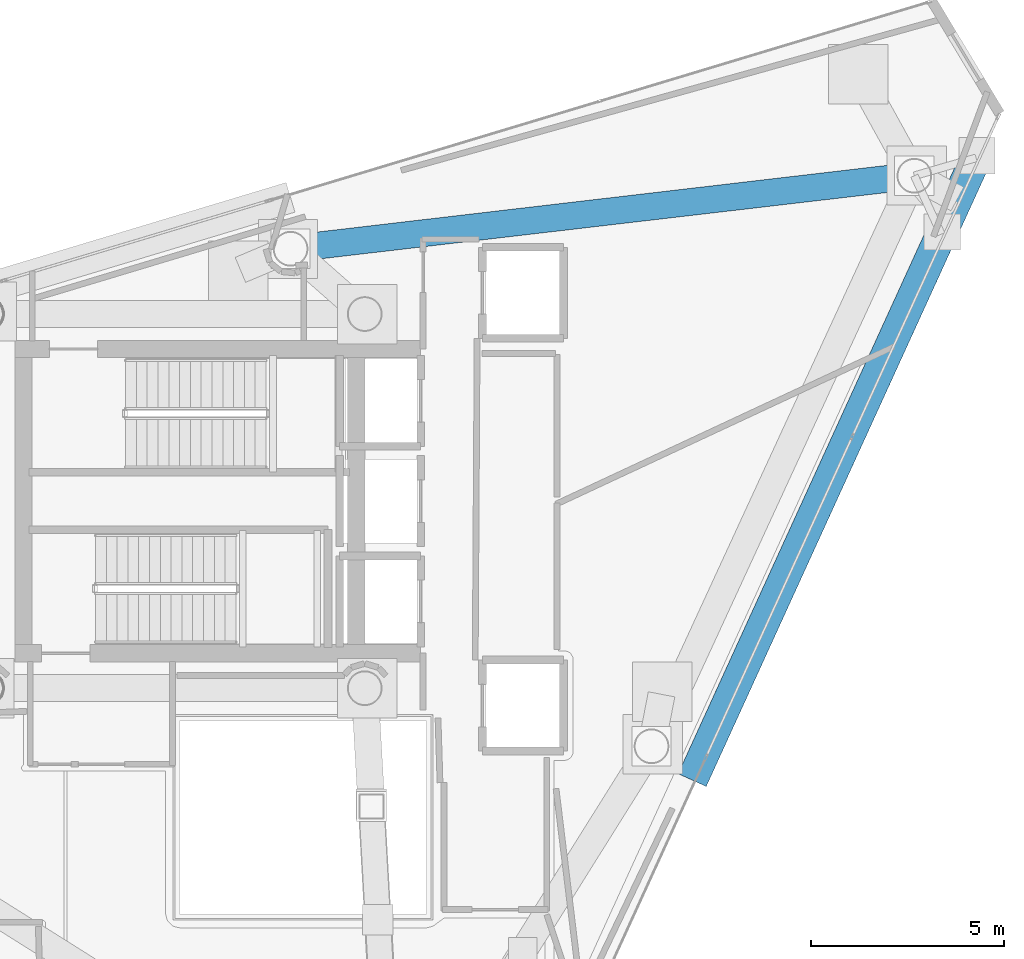
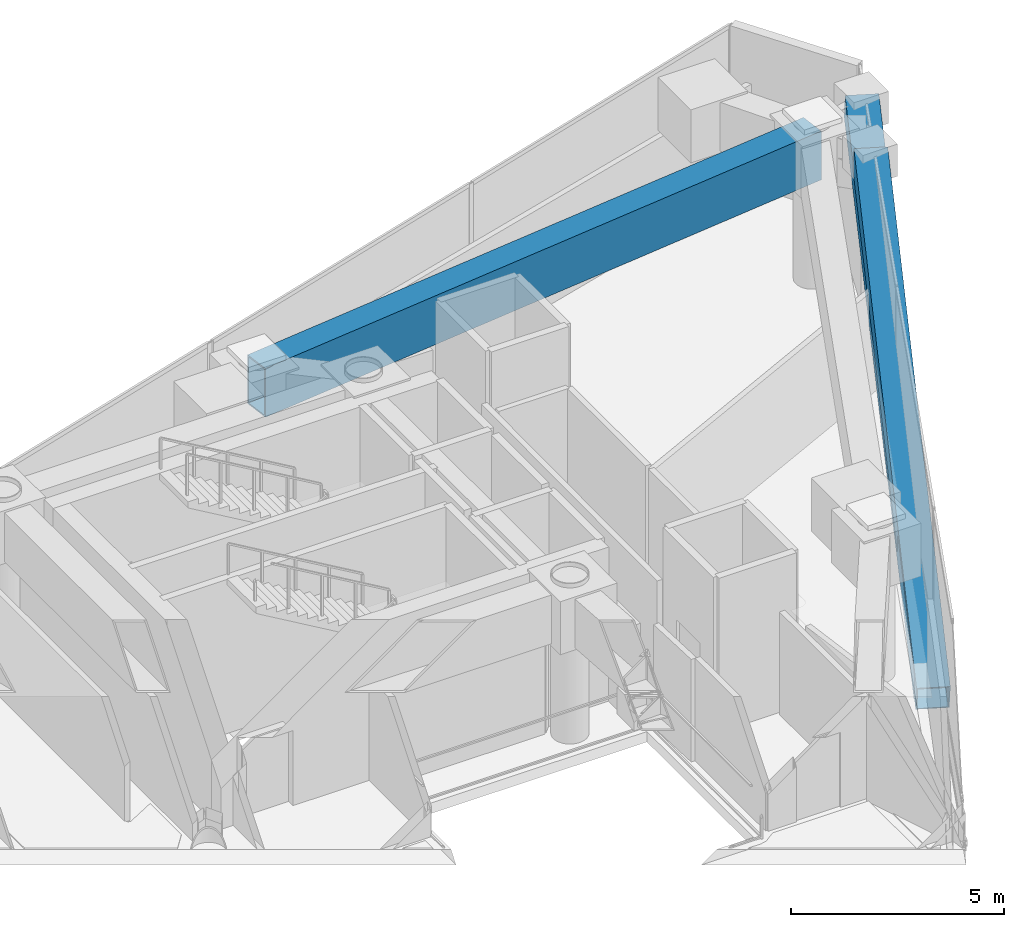
# One storey, part 12 of 20: 2 members, 1 beam.
"""IFC4 building model written with IfcOpenShell, lengths in metres."""

from ifc_helpers import new_model, si_unit, direction, frame, origin, origin_2d, place, context, subcontext, project, spatial, hollow_rectangle, extrude, material, material_profile, profile_set, type_object, element, save


model = new_model("IFC4")

# Units and contexts
model_context = context("Model", 3, precision=1e-05, world=origin(), true_north=direction((0.0, 1.0)))
body_context = subcontext(model_context, "Body", "Model", "MODEL_VIEW")
ifc_project = project(units=[si_unit("LENGTHUNIT", "METRE"), si_unit("AREAUNIT", "SQUARE_METRE"), si_unit("VOLUMEUNIT", "CUBIC_METRE"), si_unit("PLANEANGLEUNIT", "RADIAN"), si_unit("MASSUNIT", "GRAM", prefix="KILO")], contexts=[model_context])

# Site, building, storey
site_placement = place(None, origin())
site = spatial("IfcSite", under=ifc_project, at=site_placement, CompositionType="ELEMENT")
building_placement = place(site_placement, origin())
building = spatial("IfcBuilding", under=site, at=building_placement, Name="Qianvela Tower", CompositionType="ELEMENT")
storey_placement = place(building_placement, frame((0.0, 0.0, 321.300048828125)))
storey = spatial("IfcBuildingStorey", under=building, at=storey_placement, Name="L83", CompositionType="ELEMENT", Elevation=321.300048828125)

# Beam
ifc_material_1 = material(Name="Steel Q420GJC", Category="steel")
ifc_material_profile_1 = material_profile(ifc_material_1, hollow_rectangle(XDim=0.699951171875, YDim=1.39990234375, WallThickness=0.0400390625, at=origin_2d()), Name="TG-BOX-1400x700x40")
ifc_profile_set_1 = profile_set([ifc_material_profile_1], Name="Steel Q420GJC")
beam_type = type_object("IfcBeamType", Name="BM-TG-RAD-1400", PredefinedType="BEAM", material=ifc_profile_set_1)
beam_placement = place(storey_placement, frame((52.64794921875, 37.135009765625, 3.718017578125), z_axis=(-0.993225117092, -0.116206139153, 0.0), x_axis=(0.116206139153, -0.993225117092, 0.0)))
element("IfcBeam", 1, at=beam_placement, inside=storey, type_object=beam_type, Name="L83 Perimeter Belt-Truss Top Ring Girder 1", PredefinedType="BEAM", context=body_context, shape_type="SweptSolid", body=[
    extrude(hollow_rectangle(XDim=0.699951171875, YDim=1.39990234375, WallThickness=0.0400390625, at=origin_2d()), origin(), (0.0, 0.0, 1.0), 16.2822265625),
])

# Members
ifc_material_2 = material(Name="Steel Q420GJC", Category="steel")
ifc_material_profile_2 = material_profile(ifc_material_2, hollow_rectangle(XDim=0.800048828125, YDim=0.800048828125, WallThickness=0.028076171875, at=origin_2d()), Name="MBOX-800x800x28")
ifc_profile_set_2 = profile_set([ifc_material_profile_2], Name="Steel Q420GJC")
member_type = type_object("IfcMemberType", Name="MBR-MBRACE-800", PredefinedType="BRACE", material=ifc_profile_set_2)
member_1_placement = place(storey_placement, frame((46.936767578125, 21.57470703125, -0.60205078125), z_axis=(0.396967333696, 0.870019190834, 0.292375689068), x_axis=(-0.909773054714, 0.415105997205, 0.0)))
element("IfcMember", 2, at=member_1_placement, inside=storey, type_object=member_type, Name="L83 Tier 14 Exterior Mega-Brace F3A", PredefinedType="BRACE", context=body_context, shape_type="SweptSolid", body=[
    extrude(hollow_rectangle(XDim=0.800048828125, YDim=0.800048828125, WallThickness=0.028076171875, at=origin_2d()), origin(), (0.0, 0.0, 1.0), 16.1435546875),
])
member_2_placement = place(storey_placement, frame((47.119384765625, 21.97509765625, -0.60205078125), z_axis=(0.400276626533, 0.877236384874, 0.265018767834), x_axis=(-0.909766681099, 0.415119965748, 0.0)))
element("IfcMember", 3, at=member_2_placement, inside=storey, type_object=member_type, Name="L83 Tier 14 Exterior Mega-Brace F3B", PredefinedType="BRACE", context=body_context, shape_type="SweptSolid", body=[
    extrude(hollow_rectangle(XDim=0.800048828125, YDim=0.800048828125, WallThickness=0.028076171875, at=origin_2d()), origin(), (0.0, 0.0, 1.0), 17.81005859375),
])

save(model, "model.ifc")
